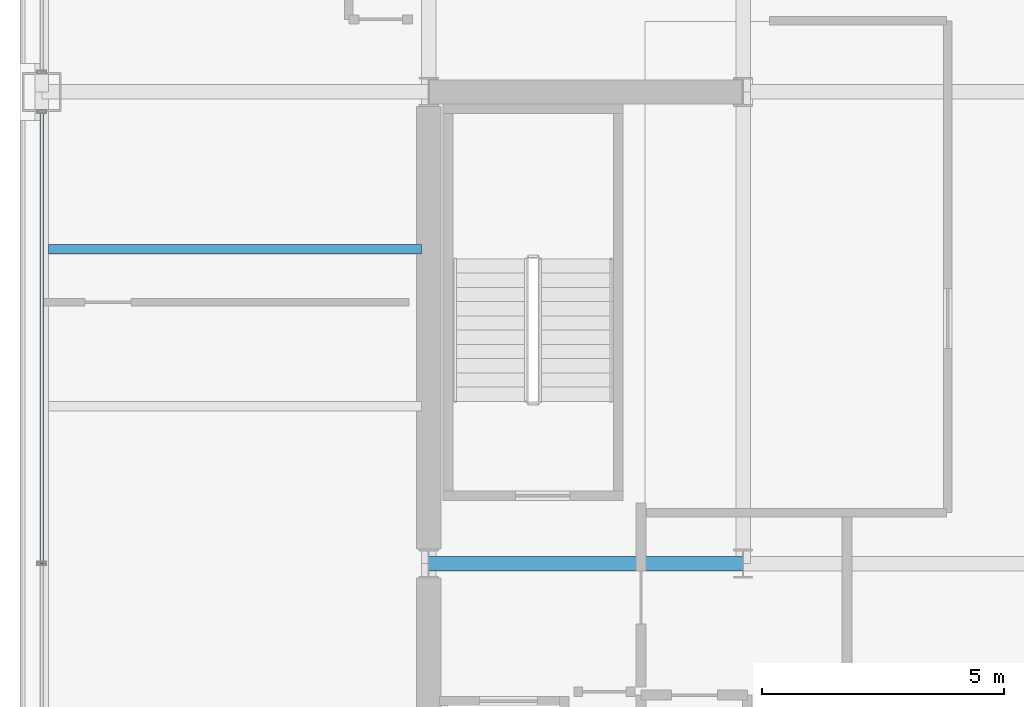
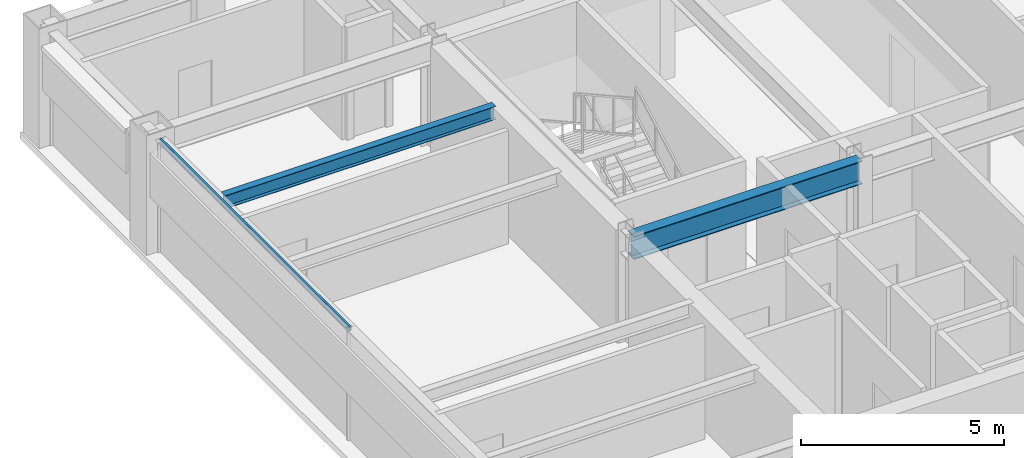
# One storey, part 9 of 29: 2 beams, 1 member, 1 element without a shape of its own.
"""IFC4 building model written with IfcOpenShell, lengths in metres."""

from ifc_helpers import new_model, si_unit, direction, frame, origin, origin_2d, place, context, subcontext, project, spatial, hollow_rectangle, i_section, extrude, material, layer, layer_set, material_profile, profile_set, type_object, element, aggregate, save


model = new_model("IFC4")

# Units and contexts
model_context = context("Model", 3, precision=1e-05, world=origin(), true_north=direction((0.0, 1.0)))
body_context = subcontext(model_context, "Body", "Model", "MODEL_VIEW")
ifc_project = project(units=[si_unit("LENGTHUNIT", "METRE"), si_unit("AREAUNIT", "SQUARE_METRE"), si_unit("VOLUMEUNIT", "CUBIC_METRE"), si_unit("PLANEANGLEUNIT", "RADIAN"), si_unit("MASSUNIT", "GRAM", prefix="KILO")], contexts=[model_context])

# Site, building, storey
site_placement = place(None, origin())
site = spatial("IfcSite", under=ifc_project, at=site_placement, CompositionType="ELEMENT")
building_placement = place(site_placement, origin())
building = spatial("IfcBuilding", under=site, at=building_placement, Name="Brelmoor Portico Tower", CompositionType="ELEMENT")
storey_placement = place(building_placement, frame((0.0, 0.0, 138.60009765625)))
storey = spatial("IfcBuildingStorey", under=building, at=storey_placement, Name="L36", CompositionType="ELEMENT", Elevation=138.60009765625)

# Beams
ifc_material_1 = material(Name="Steel Q355B", Category="steel")
ifc_material_profile_1 = material_profile(ifc_material_1, i_section(OverallWidth=0.199951171875, OverallDepth=0.39990234375, WebThickness=0.008056640625, FlangeThickness=0.012939453125, at=origin_2d()), Name="HN 400x200x8x13")
ifc_profile_set_1 = profile_set([ifc_material_profile_1], Name="Steel Q355B")
beam_type_1 = type_object("IfcBeamType", Name="BM-JS-400", PredefinedType="JOIST", material=ifc_profile_set_1)
beam_1_placement = place(storey_placement, frame((-22.409912109375, 6.5, 3.199951171875), z_axis=(1.0, 0.0, 0.0), x_axis=(0.0, 1.0, 0.0)))
element("IfcBeam", 1, at=beam_1_placement, inside=storey, type_object=beam_type_1, Name="L36 Secondary Wing Joist JS-W08", PredefinedType="JOIST", context=body_context, shape_type="SweptSolid", body=[
    extrude(i_section(OverallWidth=0.199951171875, OverallDepth=0.39990234375, WebThickness=0.008056640625, FlangeThickness=0.012939453125, at=origin_2d()), origin(), (0.0, 0.0, 1.0), 7.7099609375),
])
ifc_material_profile_2 = material_profile(ifc_material_1, i_section(OverallWidth=0.300048828125, OverallDepth=0.699951171875, WebThickness=0.012939453125, FlangeThickness=0.02392578125, at=origin_2d()), Name="HN 700x300x13x24")
ifc_profile_set_2 = profile_set([ifc_material_profile_2], Name="Steel Q355B")
beam_type_2 = type_object("IfcBeamType", Name="BM-PG-700", PredefinedType="BEAM", material=ifc_profile_set_2)
beam_2_placement = place(storey_placement, frame((-14.550048828125, 0.0, 3.0498046875), z_axis=(1.0, 0.0, 0.0), x_axis=(0.0, 1.0, 0.0)))
element("IfcBeam", 2, at=beam_2_placement, inside=storey, type_object=beam_type_2, Name="L36 Primary Floor Girder PG-19", PredefinedType="BEAM", context=body_context, shape_type="SweptSolid", body=[
    extrude(i_section(OverallWidth=0.300048828125, OverallDepth=0.699951171875, WebThickness=0.012939453125, FlangeThickness=0.02392578125, at=origin_2d()), origin(), (0.0, 0.0, 1.0), 6.5),
])

# Curtain wall, member
ifc_material_2 = material(Name="Anodised Aluminium Alloy 6063-T6", Category="aluminium")
ifc_layer = layer(ifc_material_2, 0.179931640625)
ifc_layer_set = layer_set([ifc_layer], Name="Anodised Aluminium Alloy 6063-T6")
curtain_wall_type = type_object("IfcCurtainWallType", Name="CW-TOWER-Z2-XB", PredefinedType="NOTDEFINED", material=ifc_layer_set)
curtain_wall_placement = place(storey_placement, origin())
curtain_wall = element("IfcCurtainWall", 3, at=curtain_wall_placement, inside=storey, type_object=curtain_wall_type, Name="L36 Curtain Wall CW-L36-03-2", PredefinedType="NOTDEFINED")
ifc_material_profile_3 = material_profile(ifc_material_2, hollow_rectangle(XDim=0.06494140625, YDim=0.139892578125, WallThickness=0.00390625, at=origin_2d()), Name="ALU TRANSOM 65x140")
ifc_profile_set_3 = profile_set([ifc_material_profile_3], Name="Anodised Aluminium Alloy 6063-T6")
member_type = type_object("IfcMemberType", Name="MB-CW-TRAN-140", PredefinedType="USERDEFINED", material=ifc_profile_set_3)
member_placement = place(storey_placement, frame((-22.550048828125, 0.0, 3.329833984375), z_axis=(0.0, 1.0, 0.0), x_axis=(-1.0, 0.0, 0.0)))
member = element("IfcMember", 4, at=member_placement, type_object=member_type, Name="CW-L36-03-2 Transom 1-01", ObjectType="TRANSOM", PredefinedType="USERDEFINED", context=body_context, shape_type="SweptSolid", body=[
    extrude(hollow_rectangle(XDim=0.06494140625, YDim=0.139892578125, WallThickness=0.00390625, at=origin_2d()), origin(), (0.0, 0.0, 1.0), 9.340087890625),
])
aggregate(curtain_wall, [member])

save(model, "model.ifc")
